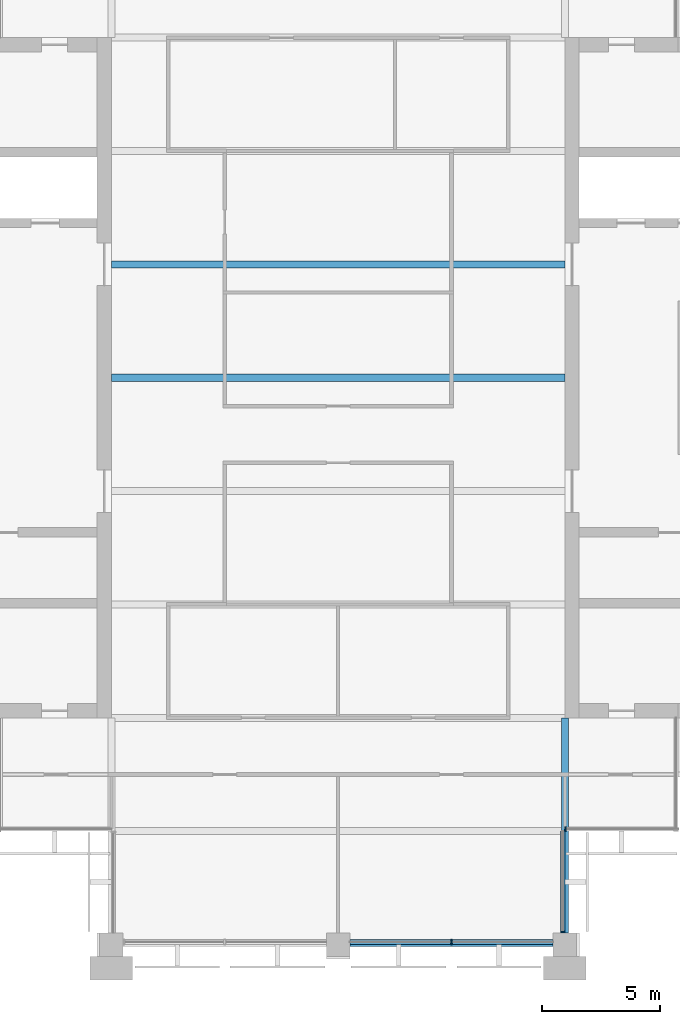
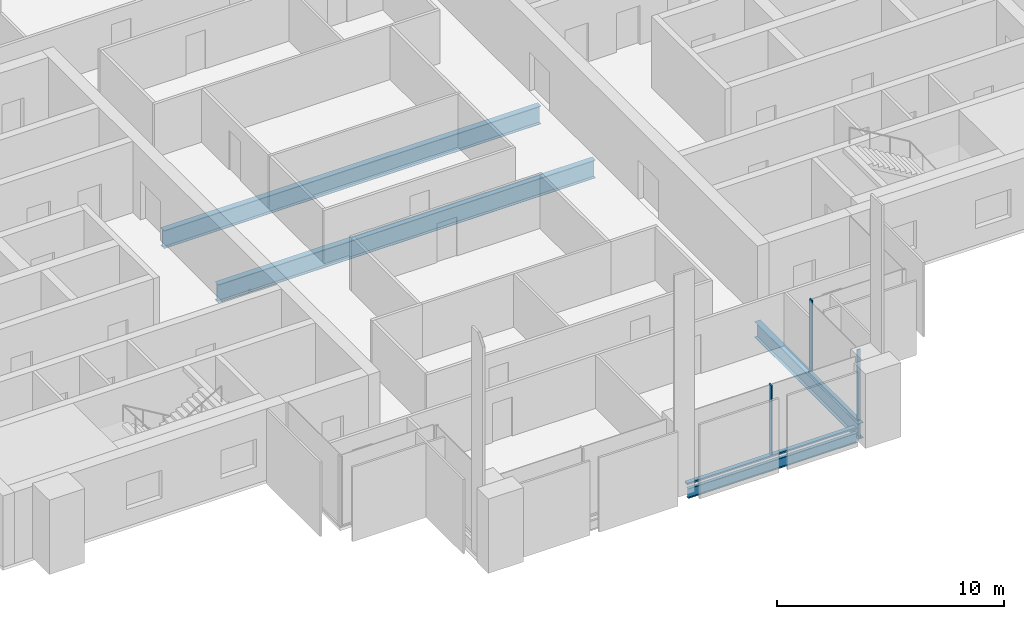
# One storey, part 3 of 13: 5 members, 4 beams, 3 elements without a shape of their own.
"""IFC4 building model written with IfcOpenShell, lengths in metres."""

from ifc_helpers import new_model, si_unit, direction, frame, origin, origin_2d, place, context, subcontext, project, spatial, rectangle, i_section, extrude, material, material_profile, profile_set, type_object, element, aggregate, save


model = new_model("IFC4")

# Units and contexts
model_context = context("Model", 3, precision=1e-05, world=origin(), true_north=direction((0.0, 1.0)))
body_context = subcontext(model_context, "Body", "Model", "MODEL_VIEW")
ifc_project = project(units=[si_unit("LENGTHUNIT", "METRE"), si_unit("AREAUNIT", "SQUARE_METRE"), si_unit("VOLUMEUNIT", "CUBIC_METRE"), si_unit("PLANEANGLEUNIT", "RADIAN"), si_unit("MASSUNIT", "GRAM", prefix="KILO")], contexts=[model_context])

# Site, building, storey
site_placement = place(None, origin())
site = spatial("IfcSite", under=ifc_project, at=site_placement, CompositionType="ELEMENT")
building_placement = place(site_placement, origin())
building = spatial("IfcBuilding", under=site, at=building_placement, Name="Baori Bourse Tower", CompositionType="ELEMENT")
storey_placement = place(building_placement, frame((0.0, 0.0, 318.300048828125)))
storey = spatial("IfcBuildingStorey", under=building, at=storey_placement, Name="L70", CompositionType="ELEMENT", Elevation=318.300048828125)

# Curtain wall, member
ifc_material_1 = material(Name="Pale anodised aluminium", Category="aluminium")
curtain_wall_type_1 = type_object("IfcCurtainWallType", Name="CW2 Curtain wall", PredefinedType="NOTDEFINED", material=ifc_material_1)
curtain_wall_1_placement = place(storey_placement, origin())
curtain_wall_1 = element("IfcCurtainWall", 1, at=curtain_wall_1_placement, inside=storey, type_object=curtain_wall_type_1, Name="Curtain wall CW2 L70 12", PredefinedType="NOTDEFINED")
ifc_material_2 = material(Name="Pale anodised aluminium", Category="aluminium")
ifc_material_profile_1 = material_profile(ifc_material_2, rectangle(XDim=0.179931640625, YDim=0.054931640625, at=origin_2d()), Name="Mullion 55x180")
ifc_profile_set_1 = profile_set([ifc_material_profile_1], Name="Pale anodised aluminium")
member_type_1 = type_object("IfcMemberType", Name="CW2 Curtain wall mullion", PredefinedType="MULLION", material=ifc_profile_set_1)
member_1_placement = place(storey_placement, frame((38.31005859375, 0.527587890625, 0.070068359375), z_axis=(0.0, 0.0, 1.0), x_axis=(-1.0, 0.0, 0.0)))
member_1 = element("IfcMember", 2, at=member_1_placement, type_object=member_type_1, Name="Curtain wall CW2 mullion", PredefinedType="MULLION", context=body_context, shape_type="SweptSolid", body=[
    extrude(rectangle(XDim=0.179931640625, YDim=0.054931640625, at=origin_2d()), origin(), (0.0, 0.0, 1.0), 3.769775390625),
])

curtain_wall_2_placement = place(storey_placement, origin())
curtain_wall_2 = element("IfcCurtainWall", 3, at=curtain_wall_2_placement, inside=storey, type_object=curtain_wall_type_1, Name="Curtain wall CW2 L70 13", PredefinedType="NOTDEFINED")
member_2_placement = place(storey_placement, frame((38.427490234375, 4.889892578125, 0.070068359375), z_axis=(0.0, 0.0, 1.0), x_axis=(0.0, 1.0, 0.0)))
member_2 = element("IfcMember", 4, at=member_2_placement, type_object=member_type_1, Name="Curtain wall CW2 mullion", PredefinedType="MULLION", context=body_context, shape_type="SweptSolid", body=[
    extrude(rectangle(XDim=0.179931640625, YDim=0.054931640625, at=origin_2d()), origin(), (0.0, 0.0, 1.0), 3.769775390625),
])
aggregate(curtain_wall_2, [member_2])

# Member
ifc_material_3 = material(Name="Pale anodised aluminium", Category="aluminium")
ifc_material_profile_2 = material_profile(ifc_material_3, rectangle(XDim=0.179931640625, YDim=0.070068359375, at=origin_2d()), Name="Transom 70x180")
ifc_profile_set_2 = profile_set([ifc_material_profile_2], Name="Pale anodised aluminium")
member_type_2 = type_object("IfcMemberType", Name="CW2 Curtain wall transom", PredefinedType="USERDEFINED", material=ifc_profile_set_2)
member_3_placement = place(storey_placement, frame((38.31005859375, 0.5, 0.034912109375), z_axis=(0.0, 1.0, 0.0), x_axis=(-1.0, 0.0, 0.0)))
member_3 = element("IfcMember", 5, at=member_3_placement, type_object=member_type_2, Name="Curtain wall CW2 sill rail", ObjectType="TRANSOM", PredefinedType="USERDEFINED", context=body_context, shape_type="SweptSolid", body=[
    extrude(rectangle(XDim=0.179931640625, YDim=0.070068359375, at=origin_2d()), origin(), (0.0, 0.0, 1.0), 4.300048828125),
])

aggregate(curtain_wall_1, [member_3, member_1])

# Curtain wall, members
ifc_material_4 = material(Name="Pale anodised aluminium", Category="aluminium")
curtain_wall_type_2 = type_object("IfcCurtainWallType", Name="CW5 Curtain wall", PredefinedType="NOTDEFINED", material=ifc_material_4)
curtain_wall_3_placement = place(storey_placement, origin())
curtain_wall_3 = element("IfcCurtainWall", 6, at=curtain_wall_3_placement, inside=storey, type_object=curtain_wall_type_2, Name="Curtain wall CW5 L70 11", PredefinedType="NOTDEFINED")
ifc_material_5 = material(Name="Pale anodised aluminium", Category="aluminium")
ifc_material_profile_3 = material_profile(ifc_material_5, rectangle(XDim=0.219970703125, YDim=0.06494140625, at=origin_2d()), Name="Mullion 65x220")
ifc_profile_set_3 = profile_set([ifc_material_profile_3], Name="Pale anodised aluminium")
member_type_3 = type_object("IfcMemberType", Name="CW5 Curtain wall mullion", PredefinedType="MULLION", material=ifc_profile_set_3)
member_4_placement = place(storey_placement, frame((33.60009765625, 0.110107421875, 0.0849609375), z_axis=(0.0, 0.0, 1.0), x_axis=(0.0, 1.0, 0.0)))
member_4 = element("IfcMember", 7, at=member_4_placement, type_object=member_type_3, Name="Curtain wall CW5 mullion", PredefinedType="MULLION", context=body_context, shape_type="SweptSolid", body=[
    extrude(rectangle(XDim=0.219970703125, YDim=0.06494140625, at=origin_2d()), origin(), (0.0, 0.0, 1.0), 3.7548828125),
])
ifc_material_6 = material(Name="Pale anodised aluminium", Category="aluminium")
ifc_material_profile_4 = material_profile(ifc_material_6, rectangle(XDim=0.219970703125, YDim=0.0849609375, at=origin_2d()), Name="Transom 85x220")
ifc_profile_set_4 = profile_set([ifc_material_profile_4], Name="Pale anodised aluminium")
member_type_4 = type_object("IfcMemberType", Name="CW5 Curtain wall transom", PredefinedType="USERDEFINED", material=ifc_profile_set_4)
member_5_placement = place(storey_placement, frame((29.300048828125, 0.110107421875, 0.04248046875), z_axis=(1.0, 0.0, 0.0), x_axis=(0.0, 1.0, 0.0)))
member_5 = element("IfcMember", 8, at=member_5_placement, type_object=member_type_4, Name="Curtain wall CW5 sill rail", ObjectType="TRANSOM", PredefinedType="USERDEFINED", context=body_context, shape_type="SweptSolid", body=[
    extrude(rectangle(XDim=0.219970703125, YDim=0.0849609375, at=origin_2d()), origin(), (0.0, 0.0, 1.0), 8.599853515625),
])
aggregate(curtain_wall_3, [member_5, member_4])

# Beams
ifc_material_7 = material(Name="Steel A992 Gr 50", Category="steel")
ifc_material_profile_5 = material_profile(ifc_material_7, i_section(OverallWidth=0.1650390625, OverallDepth=0.52587890625, WebThickness=0.0087890625, FlangeThickness=0.011474609375, at=origin_2d()), Name="W21x44")
ifc_profile_set_5 = profile_set([ifc_material_profile_5], Name="Steel A992 Gr 50")
beam_type_1 = type_object("IfcBeamType", Name="Edge beam W21x44", PredefinedType="BEAM", material=ifc_profile_set_5)
beam_1_placement = place(storey_placement, frame((29.300048828125, 0.0, -0.4228515625), z_axis=(1.0, 0.0, 0.0), x_axis=(0.0, 1.0, 0.0)))
element("IfcBeam", 9, at=beam_1_placement, inside=storey, type_object=beam_type_1, Name="Edge beam L70", PredefinedType="BEAM", context=body_context, shape_type="SweptSolid", body=[
    extrude(i_section(OverallWidth=0.1650390625, OverallDepth=0.52587890625, WebThickness=0.0087890625, FlangeThickness=0.011474609375, at=origin_2d()), origin(), (0.0, 0.0, 1.0), 8.599853515625),
])
ifc_material_8 = material(Name="Steel A992 Gr 50", Category="steel")
ifc_material_profile_6 = material_profile(ifc_material_8, i_section(OverallWidth=0.2998046875, OverallDepth=0.97021484375, WebThickness=0.01611328125, FlangeThickness=0.02099609375, at=origin_2d()), Name="W40x149")
ifc_profile_set_6 = profile_set([ifc_material_profile_6], Name="Steel A992 Gr 50")
beam_type_2 = type_object("IfcBeamType", Name="Floor beam W40x149", PredefinedType="BEAM", material=ifc_profile_set_6)
for number, where, z_axis, x_axis, name in (
    (10, (19.199951171875, 24.0, -0.645263671875), (1.0, 0.0, 0.0), (0.0, 1.0, 0.0), "Floor beam L70"),
    (11, (19.199951171875, 28.800048828125, -0.645263671875), (1.0, 0.0, 0.0), (0.0, 1.0, 0.0), "Floor beam L70"),
):
    element("IfcBeam", number, at=place(storey_placement, frame(where, z_axis=z_axis, x_axis=x_axis)), inside=storey, type_object=beam_type_2, Name=name, PredefinedType="BEAM", context=body_context, shape_type="SweptSolid", body=[
        extrude(i_section(OverallWidth=0.2998046875, OverallDepth=0.97021484375, WebThickness=0.01611328125, FlangeThickness=0.02099609375, at=origin_2d()), origin(), (0.0, 0.0, 1.0), 19.199951171875),
    ])
ifc_material_9 = material(Name="Steel A992 Gr 50", Category="steel")
ifc_material_profile_7 = material_profile(ifc_material_9, i_section(OverallWidth=0.2919921875, OverallDepth=0.835693359375, WebThickness=0.013916015625, FlangeThickness=0.018798828125, at=origin_2d()), Name="W33x118")
ifc_profile_set_7 = profile_set([ifc_material_profile_7], Name="Steel A992 Gr 50")
beam_type_3 = type_object("IfcBeamType", Name="Girder W33x118", PredefinedType="BEAM", material=ifc_profile_set_7)
beam_2_placement = place(storey_placement, frame((38.39990234375, 0.5, -0.577880859375), z_axis=(0.0, 1.0, 0.0), x_axis=(-1.0, 0.0, 0.0)))
element("IfcBeam", 12, at=beam_2_placement, inside=storey, type_object=beam_type_3, Name="Girder L70", PredefinedType="BEAM", context=body_context, shape_type="SweptSolid", body=[
    extrude(i_section(OverallWidth=0.2919921875, OverallDepth=0.835693359375, WebThickness=0.013916015625, FlangeThickness=0.018798828125, at=origin_2d()), origin(), (0.0, 0.0, 1.0), 9.10009765625),
])

save(model, "model.ifc")
